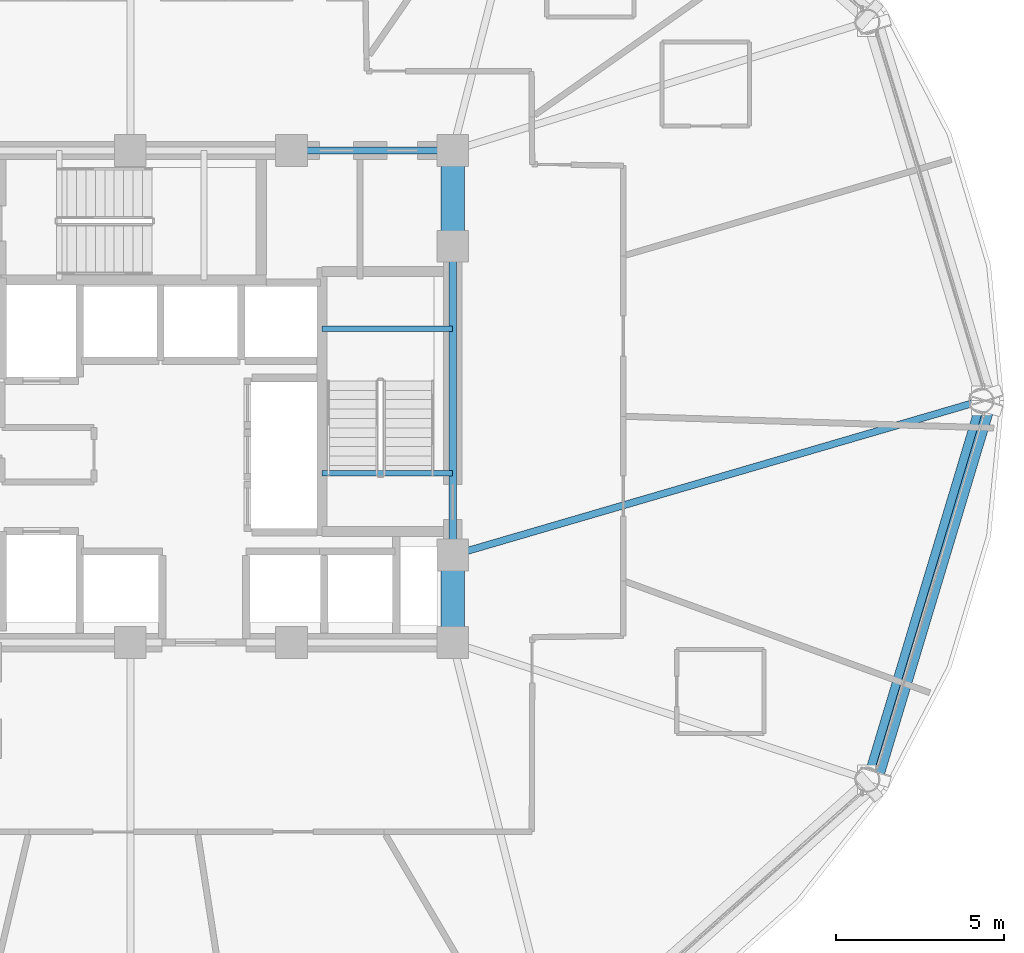
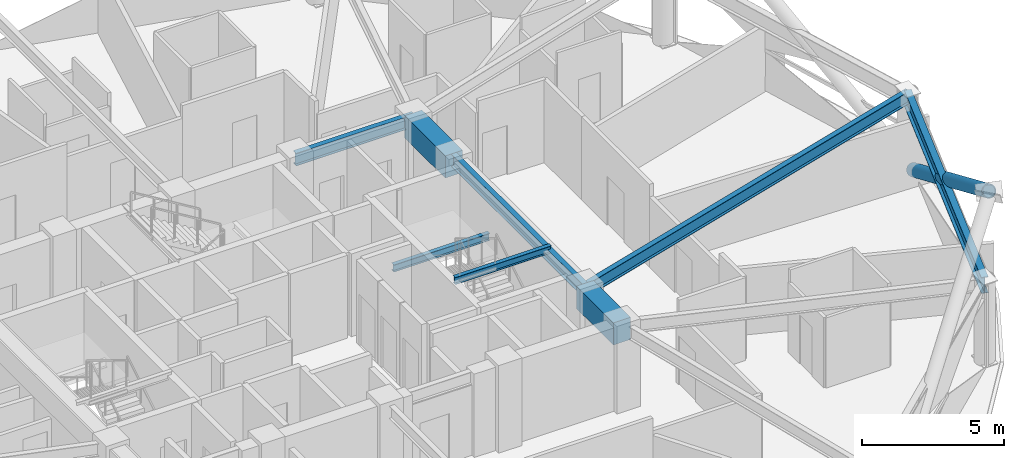
# One storey, part 11 of 30: 8 beams, 1 member.
"""IFC4 building model written with IfcOpenShell, lengths in metres."""

from ifc_helpers import new_model, si_unit, direction, frame, origin, origin_2d, place, context, subcontext, project, spatial, rectangle, hollow_circle, i_section, extrude, material, material_profile, profile_set, type_object, element, save


model = new_model("IFC4")

# Units and contexts
model_context = context("Model", 3, precision=1e-05, world=origin(), true_north=direction((0.0, 1.0)))
body_context = subcontext(model_context, "Body", "Model", "MODEL_VIEW")
ifc_project = project(units=[si_unit("LENGTHUNIT", "METRE"), si_unit("AREAUNIT", "SQUARE_METRE"), si_unit("VOLUMEUNIT", "CUBIC_METRE"), si_unit("PLANEANGLEUNIT", "RADIAN"), si_unit("MASSUNIT", "GRAM", prefix="KILO")], contexts=[model_context])

# Site, building, storey
site_placement = place(None, origin())
site = spatial("IfcSite", under=ifc_project, at=site_placement, CompositionType="ELEMENT")
building_placement = place(site_placement, origin())
building = spatial("IfcBuilding", under=site, at=building_placement, Name="Vantalir Tower", CompositionType="ELEMENT")
storey_placement = place(building_placement, frame((0.0, 0.0, 119.699951171875)))
storey = spatial("IfcBuildingStorey", under=building, at=storey_placement, Name="L29", CompositionType="ELEMENT", Elevation=119.699951171875)

# Beams
ifc_material_1 = material(Name="Concrete C60/75", Category="concrete")
ifc_material_profile_1 = material_profile(ifc_material_1, rectangle(XDim=0.699951171875, YDim=0.949951171875, at=origin_2d()), Name="Concrete C60/75")
ifc_profile_set_1 = profile_set([ifc_material_profile_1], Name="Concrete C60/75")
beam_type_1 = type_object("IfcBeamType", Name="BM-CB-700x950", PredefinedType="USERDEFINED", material=ifc_profile_set_1)
beam_1_placement = place(storey_placement, frame((41.10009765625, 17.800048828125, 3.094970703125), z_axis=(0.0, 1.0, 0.0), x_axis=(-1.0, 0.0, 0.0)))
element("IfcBeam", 1, at=beam_1_placement, inside=storey, type_object=beam_type_1, Name="L29 Core Coupling Girder 05", ObjectType="GIRDER", PredefinedType="USERDEFINED", context=body_context, shape_type="SweptSolid", body=[
    extrude(rectangle(XDim=0.699951171875, YDim=0.949951171875, at=origin_2d()), origin(), (0.0, 0.0, 1.0), 2.599853515625),
])
beam_2_placement = place(storey_placement, frame((41.10009765625, 29.60009765625, 3.094970703125), z_axis=(0.0, 1.0, 0.0), x_axis=(-1.0, 0.0, 0.0)))
element("IfcBeam", 2, at=beam_2_placement, inside=storey, type_object=beam_type_1, Name="L29 Core Coupling Girder 07", ObjectType="GIRDER", PredefinedType="USERDEFINED", context=body_context, shape_type="SweptSolid", body=[
    extrude(rectangle(XDim=0.699951171875, YDim=0.949951171875, at=origin_2d()), origin(), (0.0, 0.0, 1.0), 2.849853515625),
])
ifc_material_2 = material(Name="Steel S355", Category="steel")
ifc_material_profile_2 = material_profile(ifc_material_2, i_section(OverallWidth=0.166015625, OverallDepth=0.306884765625, WebThickness=0.006591796875, FlangeThickness=0.01171875, at=origin_2d()), Name="Steel S355")
ifc_profile_set_2 = profile_set([ifc_material_profile_2], Name="Steel S355")
beam_type_2 = type_object("IfcBeamType", Name="BM-JS-305x165", PredefinedType="JOIST", material=ifc_profile_set_2)
for number, where, z_axis, x_axis, name in (
    (3, (37.2099609375, 22.8349609375, 3.59716796875), (1.0, 0.0, 0.0), (0.0, 1.0, 0.0), "L30 Stair ST2 Well Nosing Trimmer Beam"),
    (4, (37.2099609375, 27.14501953125, 1.52197265625), (1.0, 0.0, 0.0), (0.0, 1.0, 0.0), "L29 Stair ST2 Half-Landing Support Beam"),
):
    element("IfcBeam", number, at=place(storey_placement, frame(where, z_axis=z_axis, x_axis=x_axis)), inside=storey, type_object=beam_type_2, Name=name, PredefinedType="JOIST", context=body_context, shape_type="SweptSolid", body=[
        extrude(i_section(OverallWidth=0.166015625, OverallDepth=0.306884765625, WebThickness=0.006591796875, FlangeThickness=0.01171875, at=origin_2d()), origin(), (0.0, 0.0, 1.0), 3.89013671875),
    ])
ifc_material_profile_3 = material_profile(ifc_material_2, i_section(OverallWidth=0.2109375, OverallDepth=0.5390625, WebThickness=0.01171875, FlangeThickness=0.018798828125, at=origin_2d()), Name="Steel S355")
ifc_profile_set_3 = profile_set([ifc_material_profile_3], Name="Steel S355")
beam_type_3 = type_object("IfcBeamType", Name="BM-RB-533x210", PredefinedType="BEAM", material=ifc_profile_set_3)
beam_3_placement = place(storey_placement, frame((41.10009765625, 20.39990234375, 3.300048828125), z_axis=(0.0, 1.0, 0.0), x_axis=(-1.0, 0.0, 0.0)))
element("IfcBeam", 5, at=beam_3_placement, inside=storey, type_object=beam_type_3, Name="L29 Core Coupling Girder 06", PredefinedType="BEAM", context=body_context, shape_type="SweptSolid", body=[
    extrude(i_section(OverallWidth=0.2109375, OverallDepth=0.5390625, WebThickness=0.01171875, FlangeThickness=0.018798828125, at=origin_2d()), origin(), (0.0, 0.0, 1.0), 9.2001953125),
])
beam_4_placement = place(storey_placement, frame((41.10009765625, 32.449951171875, 3.300048828125), z_axis=(-1.0, 0.0, 0.0), x_axis=(0.0, -1.0, 0.0)))
element("IfcBeam", 6, at=beam_4_placement, inside=storey, type_object=beam_type_3, Name="L29 Core Coupling Girder 08", PredefinedType="BEAM", context=body_context, shape_type="SweptSolid", body=[
    extrude(i_section(OverallWidth=0.2109375, OverallDepth=0.5390625, WebThickness=0.01171875, FlangeThickness=0.018798828125, at=origin_2d()), origin(), (0.0, 0.0, 1.0), 4.800048828125),
])
beam_5_placement = place(storey_placement, frame((56.840087890625, 25.0, 3.300048828125), z_axis=(-0.959847952894, -0.280520778775, 0.0), x_axis=(0.280520778775, -0.959847952894, 0.0)))
element("IfcBeam", 7, at=beam_5_placement, inside=storey, type_object=beam_type_3, Name="L29 Radial Floor Beam 01", PredefinedType="BEAM", context=body_context, shape_type="SweptSolid", body=[
    extrude(i_section(OverallWidth=0.2109375, OverallDepth=0.5390625, WebThickness=0.01171875, FlangeThickness=0.018798828125, at=origin_2d()), origin(), (0.0, 0.0, 1.0), 16.3984375),
])
ifc_material_3 = material(Name="Steel S460", Category="steel")
ifc_material_profile_4 = material_profile(ifc_material_3, i_section(OverallWidth=0.256103515625, OverallDepth=0.693115234375, WebThickness=0.014404296875, FlangeThickness=0.023681640625, at=origin_2d()), Name="Steel S460")
ifc_profile_set_4 = profile_set([ifc_material_profile_4], Name="Steel S460")
beam_type_4 = type_object("IfcBeamType", Name="BM-RG-686x254", PredefinedType="USERDEFINED", material=ifc_profile_set_4)
beam_6_placement = place(storey_placement, frame((53.445068359375, 13.717041015625, 3.22314453125), z_axis=(0.288136680777, 0.957589292542, 0.0), x_axis=(-0.957589292542, 0.288136680777, 0.0)))
element("IfcBeam", 8, at=beam_6_placement, inside=storey, type_object=beam_type_4, Name="L29 Circumferential Ring Girder 12", ObjectType="GIRDER", PredefinedType="USERDEFINED", context=body_context, shape_type="SweptSolid", body=[
    extrude(i_section(OverallWidth=0.256103515625, OverallDepth=0.693115234375, WebThickness=0.014404296875, FlangeThickness=0.023681640625, at=origin_2d()), origin(), (0.0, 0.0, 1.0), 11.78271484375),
])

# Member
ifc_material_profile_5 = material_profile(ifc_material_3, hollow_circle(Radius=0.260009765625, WallThickness=0.0380859375, at=origin_2d()), Name="Steel S460")
ifc_profile_set_5 = profile_set([ifc_material_profile_5], Name="Steel S460")
member_type = type_object("IfcMemberType", Name="MEM-DB-520x38", PredefinedType="BRACE", material=ifc_profile_set_5)
member_placement = place(storey_placement, frame((56.97607421875, 24.820068359375, 0.194091796875), z_axis=(-0.24657648049, -0.820285755899, 0.516072977338), x_axis=(0.95766844946, -0.287873480731, 0.0)))
element("IfcMember", 9, at=member_placement, inside=storey, type_object=member_type, Name="L29 Perimeter S460 Diagrid Brace R01R", PredefinedType="BRACE", context=body_context, shape_type="SweptSolid", body=[
    extrude(hollow_circle(Radius=0.260009765625, WallThickness=0.0380859375, at=origin_2d()), origin(), (0.0, 0.0, 1.0), 13.431884765625),
])

save(model, "model.ifc")
